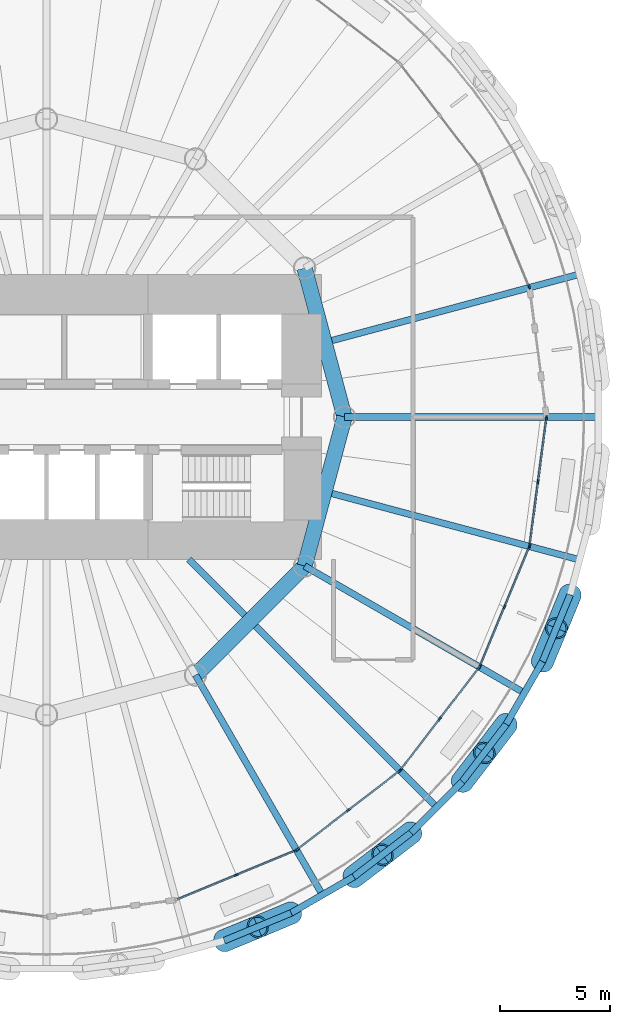
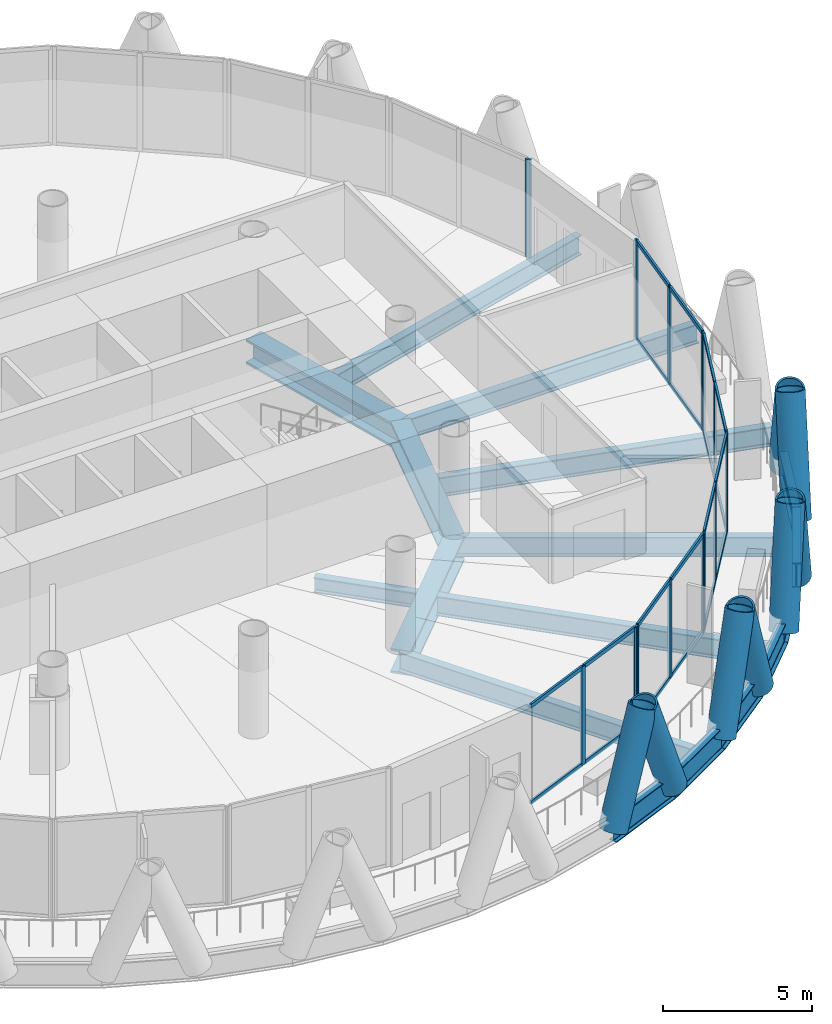
# One storey, part 4 of 15: 43 members, 17 beams, 6 elements without a shape of their own.
"""IFC4 building model written with IfcOpenShell, lengths in metres."""

from ifc_helpers import new_model, si_unit, direction, frame, origin, origin_2d, place, context, subcontext, project, spatial, rectangle, hollow_circle, i_section, extrude, material, material_profile, profile_set, type_object, element, aggregate, save


model = new_model("IFC4")

# Units and contexts
model_context = context("Model", 3, precision=1e-05, world=origin(), true_north=direction((0.0, 1.0)))
body_context = subcontext(model_context, "Body", "Model", "MODEL_VIEW")
ifc_project = project(units=[si_unit("LENGTHUNIT", "METRE"), si_unit("AREAUNIT", "SQUARE_METRE"), si_unit("VOLUMEUNIT", "CUBIC_METRE"), si_unit("PLANEANGLEUNIT", "RADIAN"), si_unit("MASSUNIT", "GRAM", prefix="KILO")], contexts=[model_context])

# Site, building, storey
site_placement = place(None, origin())
site = spatial("IfcSite", under=ifc_project, at=site_placement, CompositionType="ELEMENT")
building_placement = place(site_placement, origin())
building = spatial("IfcBuilding", under=site, at=building_placement, Name="Qaws Media Tower", CompositionType="ELEMENT")
storey_placement = place(building_placement, frame((0.0, 0.0, 131.0)))
storey = spatial("IfcBuildingStorey", under=building, at=storey_placement, Name="L29", CompositionType="ELEMENT", Elevation=131.0)

# Curtain wall, member
ifc_material_1 = material(Name="Aluminium and clear glass", Category="aluminium")
curtain_wall_type = type_object("IfcCurtainWallType", Name="Unitised curtain wall CW-B", PredefinedType="NOTDEFINED", material=ifc_material_1)
curtain_wall_1_placement = place(storey_placement, origin())
curtain_wall_1 = element("IfcCurtainWall", 1, at=curtain_wall_1_placement, inside=storey, type_object=curtain_wall_type, Name="CWB curtain wall L29-02", PredefinedType="NOTDEFINED")
ifc_material_2 = material(Name="Aluminium mullion", Category="aluminium")
ifc_material_profile_1 = material_profile(ifc_material_2, rectangle(XDim=0.080078125, YDim=0.199951171875, at=origin_2d()), Name="80x200")
ifc_profile_set_1 = profile_set([ifc_material_profile_1], Name="Aluminium mullion")
member_type_1 = type_object("IfcMemberType", Name="Curtain wall mullion 80x200", PredefinedType="MULLION", material=ifc_profile_set_1)
member_1_placement = place(storey_placement, frame((81.86279296875, 55.899169921875, 0.0), z_axis=(0.0, 0.0, 1.0), x_axis=(-0.923879515987, -0.382683472258, 0.0)))
member_1 = element("IfcMember", 2, at=member_1_placement, type_object=member_type_1, Name="CWB mullion 1", PredefinedType="MULLION", context=body_context, shape_type="SweptSolid", body=[
    extrude(rectangle(XDim=0.080078125, YDim=0.199951171875, at=origin_2d()), origin(), (0.0, 0.0, 1.0), 4.0400390625),
])
aggregate(curtain_wall_1, [member_1])

# Curtain wall, members
curtain_wall_2_placement = place(storey_placement, origin())
curtain_wall_2 = element("IfcCurtainWall", 3, at=curtain_wall_2_placement, inside=storey, type_object=curtain_wall_type, Name="CWB curtain wall L29-20", PredefinedType="NOTDEFINED")
member_2_placement = place(storey_placement, frame((68.593505859375, 29.253173828125, 0.0), z_axis=(0.0, 0.0, 1.0), x_axis=(-0.382683472258, 0.923879515987, 0.0)))
member_2 = element("IfcMember", 4, at=member_2_placement, type_object=member_type_1, Name="CWB mullion 2", PredefinedType="MULLION", context=body_context, shape_type="SweptSolid", body=[
    extrude(rectangle(XDim=0.080078125, YDim=0.199951171875, at=origin_2d()), origin(), (0.0, 0.0, 1.0), 4.0400390625),
])
member_3_placement = place(storey_placement, frame((71.2880859375, 30.369140625, 0.0), z_axis=(0.0, 0.0, 1.0), x_axis=(-0.382683472258, 0.923879515987, 0.0)))
member_3 = element("IfcMember", 5, at=member_3_placement, type_object=member_type_1, Name="CWB mullion 3", PredefinedType="MULLION", context=body_context, shape_type="SweptSolid", body=[
    extrude(rectangle(XDim=0.080078125, YDim=0.199951171875, at=origin_2d()), origin(), (0.0, 0.0, 1.0), 4.0400390625),
])

curtain_wall_3_placement = place(storey_placement, origin())
curtain_wall_3 = element("IfcCurtainWall", 6, at=curtain_wall_3_placement, inside=storey, type_object=curtain_wall_type, Name="CWB curtain wall L29-21", PredefinedType="NOTDEFINED")
member_4_placement = place(storey_placement, frame((71.356689453125, 30.408935546875, 0.0), z_axis=(0.0, 0.0, 1.0), x_axis=(-0.608761310482, 0.79335343124, 0.0)))
member_4 = element("IfcMember", 7, at=member_4_placement, type_object=member_type_1, Name="CWB mullion 1", PredefinedType="MULLION", context=body_context, shape_type="SweptSolid", body=[
    extrude(rectangle(XDim=0.080078125, YDim=0.199951171875, at=origin_2d()), origin(), (0.0, 0.0, 1.0), 4.0400390625),
])
member_5_placement = place(storey_placement, frame((73.67041015625, 32.184326171875, 0.0), z_axis=(0.0, 0.0, 1.0), x_axis=(-0.608761310482, 0.79335343124, 0.0)))
member_5 = element("IfcMember", 8, at=member_5_placement, type_object=member_type_1, Name="CWB mullion 2", PredefinedType="MULLION", context=body_context, shape_type="SweptSolid", body=[
    extrude(rectangle(XDim=0.080078125, YDim=0.199951171875, at=origin_2d()), origin(), (0.0, 0.0, 1.0), 4.0400390625),
])
member_6_placement = place(storey_placement, frame((75.984130859375, 33.959716796875, 0.0), z_axis=(0.0, 0.0, 1.0), x_axis=(-0.608761310482, 0.79335343124, 0.0)))
member_6 = element("IfcMember", 9, at=member_6_placement, type_object=member_type_1, Name="CWB mullion 3", PredefinedType="MULLION", context=body_context, shape_type="SweptSolid", body=[
    extrude(rectangle(XDim=0.080078125, YDim=0.199951171875, at=origin_2d()), origin(), (0.0, 0.0, 1.0), 4.0400390625),
])

curtain_wall_4_placement = place(storey_placement, origin())
curtain_wall_4 = element("IfcCurtainWall", 10, at=curtain_wall_4_placement, inside=storey, type_object=curtain_wall_type, Name="CWB curtain wall L29-22", PredefinedType="NOTDEFINED")
member_7_placement = place(storey_placement, frame((76.040283203125, 34.015869140625, 0.0), z_axis=(0.0, 0.0, 1.0), x_axis=(-0.79335343124, 0.608761310482, 0.0)))
member_7 = element("IfcMember", 11, at=member_7_placement, type_object=member_type_1, Name="CWB mullion 1", PredefinedType="MULLION", context=body_context, shape_type="SweptSolid", body=[
    extrude(rectangle(XDim=0.080078125, YDim=0.199951171875, at=origin_2d()), origin(), (0.0, 0.0, 1.0), 4.0400390625),
])
member_8_placement = place(storey_placement, frame((77.815673828125, 36.32958984375, 0.0), z_axis=(0.0, 0.0, 1.0), x_axis=(-0.79335343124, 0.608761310482, 0.0)))
member_8 = element("IfcMember", 12, at=member_8_placement, type_object=member_type_1, Name="CWB mullion 2", PredefinedType="MULLION", context=body_context, shape_type="SweptSolid", body=[
    extrude(rectangle(XDim=0.080078125, YDim=0.199951171875, at=origin_2d()), origin(), (0.0, 0.0, 1.0), 4.0400390625),
])
member_9_placement = place(storey_placement, frame((79.591064453125, 38.643310546875, 0.0), z_axis=(0.0, 0.0, 1.0), x_axis=(-0.79335343124, 0.608761310482, 0.0)))
member_9 = element("IfcMember", 13, at=member_9_placement, type_object=member_type_1, Name="CWB mullion 3", PredefinedType="MULLION", context=body_context, shape_type="SweptSolid", body=[
    extrude(rectangle(XDim=0.080078125, YDim=0.199951171875, at=origin_2d()), origin(), (0.0, 0.0, 1.0), 4.0400390625),
])

curtain_wall_5_placement = place(storey_placement, origin())
curtain_wall_5 = element("IfcCurtainWall", 14, at=curtain_wall_5_placement, inside=storey, type_object=curtain_wall_type, Name="CWB curtain wall L29-23", PredefinedType="NOTDEFINED")
member_10_placement = place(storey_placement, frame((79.630859375, 38.7119140625, 0.0), z_axis=(0.0, 0.0, 1.0), x_axis=(-0.923879515987, 0.382683472258, 0.0)))
member_10 = element("IfcMember", 15, at=member_10_placement, type_object=member_type_1, Name="CWB mullion 1", PredefinedType="MULLION", context=body_context, shape_type="SweptSolid", body=[
    extrude(rectangle(XDim=0.080078125, YDim=0.199951171875, at=origin_2d()), origin(), (0.0, 0.0, 1.0), 4.0400390625),
])
member_11_placement = place(storey_placement, frame((80.746826171875, 41.406494140625, 0.0), z_axis=(0.0, 0.0, 1.0), x_axis=(-0.923879515987, 0.382683472258, 0.0)))
member_11 = element("IfcMember", 16, at=member_11_placement, type_object=member_type_1, Name="CWB mullion 2", PredefinedType="MULLION", context=body_context, shape_type="SweptSolid", body=[
    extrude(rectangle(XDim=0.080078125, YDim=0.199951171875, at=origin_2d()), origin(), (0.0, 0.0, 1.0), 4.0400390625),
])
member_12_placement = place(storey_placement, frame((81.86279296875, 44.100830078125, 0.0), z_axis=(0.0, 0.0, 1.0), x_axis=(-0.923879515987, 0.382683472258, 0.0)))
member_12 = element("IfcMember", 17, at=member_12_placement, type_object=member_type_1, Name="CWB mullion 3", PredefinedType="MULLION", context=body_context, shape_type="SweptSolid", body=[
    extrude(rectangle(XDim=0.080078125, YDim=0.199951171875, at=origin_2d()), origin(), (0.0, 0.0, 1.0), 4.0400390625),
])

curtain_wall_6_placement = place(storey_placement, origin())
curtain_wall_6 = element("IfcCurtainWall", 18, at=curtain_wall_6_placement, inside=storey, type_object=curtain_wall_type, Name="CWB curtain wall L29-24", PredefinedType="NOTDEFINED")
member_13_placement = place(storey_placement, frame((81.883544921875, 44.177490234375, 0.0), z_axis=(0.0, 0.0, 1.0), x_axis=(-0.991444861059, 0.130526194608, 0.0)))
member_13 = element("IfcMember", 19, at=member_13_placement, type_object=member_type_1, Name="CWB mullion 1", PredefinedType="MULLION", context=body_context, shape_type="SweptSolid", body=[
    extrude(rectangle(XDim=0.080078125, YDim=0.199951171875, at=origin_2d()), origin(), (0.0, 0.0, 1.0), 4.0400390625),
])
member_14_placement = place(storey_placement, frame((82.26416015625, 47.06884765625, 0.0), z_axis=(0.0, 0.0, 1.0), x_axis=(-0.991444861059, 0.130526194608, 0.0)))
member_14 = element("IfcMember", 20, at=member_14_placement, type_object=member_type_1, Name="CWB mullion 2", PredefinedType="MULLION", context=body_context, shape_type="SweptSolid", body=[
    extrude(rectangle(XDim=0.080078125, YDim=0.199951171875, at=origin_2d()), origin(), (0.0, 0.0, 1.0), 4.0400390625),
])
member_15_placement = place(storey_placement, frame((82.644775390625, 49.96044921875, 0.0), z_axis=(0.0, 0.0, 1.0), x_axis=(-0.991444861059, 0.130526194608, 0.0)))
member_15 = element("IfcMember", 21, at=member_15_placement, type_object=member_type_1, Name="CWB mullion 3", PredefinedType="MULLION", context=body_context, shape_type="SweptSolid", body=[
    extrude(rectangle(XDim=0.080078125, YDim=0.199951171875, at=origin_2d()), origin(), (0.0, 0.0, 1.0), 4.0400390625),
])

# Member
ifc_material_3 = material(Name="Aluminium transom", Category="aluminium")
ifc_material_profile_2 = material_profile(ifc_material_3, rectangle(XDim=0.080078125, YDim=0.159912109375, at=origin_2d()), Name="80x160")
ifc_profile_set_2 = profile_set([ifc_material_profile_2], Name="Aluminium transom")
member_type_2 = type_object("IfcMemberType", Name="Curtain wall transom 80x160", PredefinedType="USERDEFINED", material=ifc_profile_set_2)
member_16_placement = place(storey_placement, frame((65.936279296875, 28.15234375, 0.0400390625), z_axis=(0.92387205082, 0.382701494265, 0.0), x_axis=(-0.382701494265, 0.92387205082, 0.0)))
member_16 = element("IfcMember", 22, at=member_16_placement, type_object=member_type_2, Name="CWB transom 1.1", ObjectType="TRANSOM", PredefinedType="USERDEFINED", context=body_context, shape_type="SweptSolid", body=[
    extrude(rectangle(XDim=0.080078125, YDim=0.159912109375, at=origin_2d()), origin(), (0.0, 0.0, 1.0), 2.836181640625),
])

member_17_placement = place(storey_placement, frame((65.936279296875, 28.15234375, 4.0), z_axis=(0.92387205082, 0.382701494265, 0.0), x_axis=(-0.382701494265, 0.92387205082, 0.0)))
member_17 = element("IfcMember", 23, at=member_17_placement, type_object=member_type_2, Name="CWB transom 1.2", ObjectType="TRANSOM", PredefinedType="USERDEFINED", context=body_context, shape_type="SweptSolid", body=[
    extrude(rectangle(XDim=0.080078125, YDim=0.159912109375, at=origin_2d()), origin(), (0.0, 0.0, 1.0), 2.836181640625),
])

member_18_placement = place(storey_placement, frame((68.630615234375, 29.2685546875, 0.0400390625), z_axis=(0.92387205082, 0.382701494265, 0.0), x_axis=(-0.382701494265, 0.92387205082, 0.0)))
member_18 = element("IfcMember", 24, at=member_18_placement, type_object=member_type_2, Name="CWB transom 2.1", ObjectType="TRANSOM", PredefinedType="USERDEFINED", context=body_context, shape_type="SweptSolid", body=[
    extrude(rectangle(XDim=0.080078125, YDim=0.159912109375, at=origin_2d()), origin(), (0.0, 0.0, 1.0), 2.836181640625),
])

member_19_placement = place(storey_placement, frame((68.630615234375, 29.2685546875, 4.0), z_axis=(0.92387205082, 0.382701494265, 0.0), x_axis=(-0.382701494265, 0.92387205082, 0.0)))
member_19 = element("IfcMember", 25, at=member_19_placement, type_object=member_type_2, Name="CWB transom 2.2", ObjectType="TRANSOM", PredefinedType="USERDEFINED", context=body_context, shape_type="SweptSolid", body=[
    extrude(rectangle(XDim=0.080078125, YDim=0.159912109375, at=origin_2d()), origin(), (0.0, 0.0, 1.0), 2.836181640625),
])

aggregate(curtain_wall_2, [member_2, member_3, member_16, member_17, member_18, member_19])

member_20_placement = place(storey_placement, frame((71.388427734375, 30.43310546875, 0.0400390625), z_axis=(0.793330594722, 0.608791070465, 0.0), x_axis=(-0.608791070465, 0.793330594722, 0.0)))
member_20 = element("IfcMember", 26, at=member_20_placement, type_object=member_type_2, Name="CWB transom 1.1", ObjectType="TRANSOM", PredefinedType="USERDEFINED", context=body_context, shape_type="SweptSolid", body=[
    extrude(rectangle(XDim=0.080078125, YDim=0.159912109375, at=origin_2d()), origin(), (0.0, 0.0, 1.0), 2.83642578125),
])

member_21_placement = place(storey_placement, frame((71.388427734375, 30.43310546875, 4.0), z_axis=(0.793330594722, 0.608791070465, 0.0), x_axis=(-0.608791070465, 0.793330594722, 0.0)))
member_21 = element("IfcMember", 27, at=member_21_placement, type_object=member_type_2, Name="CWB transom 1.2", ObjectType="TRANSOM", PredefinedType="USERDEFINED", context=body_context, shape_type="SweptSolid", body=[
    extrude(rectangle(XDim=0.080078125, YDim=0.159912109375, at=origin_2d()), origin(), (0.0, 0.0, 1.0), 2.83642578125),
])

member_22_placement = place(storey_placement, frame((73.7021484375, 32.208740234375, 0.0400390625), z_axis=(0.793372165728, 0.608736894437, 0.0), x_axis=(-0.608736894437, 0.793372165728, 0.0)))
member_22 = element("IfcMember", 28, at=member_22_placement, type_object=member_type_2, Name="CWB transom 2.1", ObjectType="TRANSOM", PredefinedType="USERDEFINED", context=body_context, shape_type="SweptSolid", body=[
    extrude(rectangle(XDim=0.080078125, YDim=0.159912109375, at=origin_2d()), origin(), (0.0, 0.0, 1.0), 2.836181640625),
])

member_23_placement = place(storey_placement, frame((73.7021484375, 32.208740234375, 4.0), z_axis=(0.793372165728, 0.608736894437, 0.0), x_axis=(-0.608736894437, 0.793372165728, 0.0)))
member_23 = element("IfcMember", 29, at=member_23_placement, type_object=member_type_2, Name="CWB transom 2.2", ObjectType="TRANSOM", PredefinedType="USERDEFINED", context=body_context, shape_type="SweptSolid", body=[
    extrude(rectangle(XDim=0.080078125, YDim=0.159912109375, at=origin_2d()), origin(), (0.0, 0.0, 1.0), 2.836181640625),
])

aggregate(curtain_wall_3, [member_4, member_5, member_6, member_20, member_21, member_22, member_23])

member_24_placement = place(storey_placement, frame((76.064697265625, 34.047607421875, 0.0400390625), z_axis=(0.608736894437, 0.793372165728, 0.0), x_axis=(-0.793372165728, 0.608736894437, 0.0)))
member_24 = element("IfcMember", 30, at=member_24_placement, type_object=member_type_2, Name="CWB transom 1.1", ObjectType="TRANSOM", PredefinedType="USERDEFINED", context=body_context, shape_type="SweptSolid", body=[
    extrude(rectangle(XDim=0.080078125, YDim=0.159912109375, at=origin_2d()), origin(), (0.0, 0.0, 1.0), 2.836181640625),
])

member_25_placement = place(storey_placement, frame((76.064697265625, 34.047607421875, 4.0), z_axis=(0.608736894437, 0.793372165728, 0.0), x_axis=(-0.793372165728, 0.608736894437, 0.0)))
member_25 = element("IfcMember", 31, at=member_25_placement, type_object=member_type_2, Name="CWB transom 1.2", ObjectType="TRANSOM", PredefinedType="USERDEFINED", context=body_context, shape_type="SweptSolid", body=[
    extrude(rectangle(XDim=0.080078125, YDim=0.159912109375, at=origin_2d()), origin(), (0.0, 0.0, 1.0), 2.836181640625),
])

member_26_placement = place(storey_placement, frame((77.840087890625, 36.361328125, 0.0400390625), z_axis=(0.608791070465, 0.793330594722, 0.0), x_axis=(-0.793330594722, 0.608791070465, 0.0)))
member_26 = element("IfcMember", 32, at=member_26_placement, type_object=member_type_2, Name="CWB transom 2.1", ObjectType="TRANSOM", PredefinedType="USERDEFINED", context=body_context, shape_type="SweptSolid", body=[
    extrude(rectangle(XDim=0.080078125, YDim=0.159912109375, at=origin_2d()), origin(), (0.0, 0.0, 1.0), 2.83642578125),
])

member_27_placement = place(storey_placement, frame((77.840087890625, 36.361328125, 4.0), z_axis=(0.608791070465, 0.793330594722, 0.0), x_axis=(-0.793330594722, 0.608791070465, 0.0)))
member_27 = element("IfcMember", 33, at=member_27_placement, type_object=member_type_2, Name="CWB transom 2.2", ObjectType="TRANSOM", PredefinedType="USERDEFINED", context=body_context, shape_type="SweptSolid", body=[
    extrude(rectangle(XDim=0.080078125, YDim=0.159912109375, at=origin_2d()), origin(), (0.0, 0.0, 1.0), 2.83642578125),
])

aggregate(curtain_wall_4, [member_7, member_8, member_9, member_24, member_25, member_26, member_27])

member_28_placement = place(storey_placement, frame((79.64599609375, 38.7490234375, 0.0400390625), z_axis=(0.382701494265, 0.92387205082, 0.0), x_axis=(-0.92387205082, 0.382701494265, 0.0)))
member_28 = element("IfcMember", 34, at=member_28_placement, type_object=member_type_2, Name="CWB transom 1.1", ObjectType="TRANSOM", PredefinedType="USERDEFINED", context=body_context, shape_type="SweptSolid", body=[
    extrude(rectangle(XDim=0.080078125, YDim=0.159912109375, at=origin_2d()), origin(), (0.0, 0.0, 1.0), 2.836181640625),
])

member_29_placement = place(storey_placement, frame((79.64599609375, 38.7490234375, 4.0), z_axis=(0.382701494265, 0.92387205082, 0.0), x_axis=(-0.92387205082, 0.382701494265, 0.0)))
member_29 = element("IfcMember", 35, at=member_29_placement, type_object=member_type_2, Name="CWB transom 1.2", ObjectType="TRANSOM", PredefinedType="USERDEFINED", context=body_context, shape_type="SweptSolid", body=[
    extrude(rectangle(XDim=0.080078125, YDim=0.159912109375, at=origin_2d()), origin(), (0.0, 0.0, 1.0), 2.836181640625),
])

member_30_placement = place(storey_placement, frame((80.76220703125, 41.443359375, 0.0400390625), z_axis=(0.382701494265, 0.92387205082, 0.0), x_axis=(-0.92387205082, 0.382701494265, 0.0)))
member_30 = element("IfcMember", 36, at=member_30_placement, type_object=member_type_2, Name="CWB transom 2.1", ObjectType="TRANSOM", PredefinedType="USERDEFINED", context=body_context, shape_type="SweptSolid", body=[
    extrude(rectangle(XDim=0.080078125, YDim=0.159912109375, at=origin_2d()), origin(), (0.0, 0.0, 1.0), 2.836181640625),
])

member_31_placement = place(storey_placement, frame((80.76220703125, 41.443359375, 4.0), z_axis=(0.382701494265, 0.92387205082, 0.0), x_axis=(-0.92387205082, 0.382701494265, 0.0)))
member_31 = element("IfcMember", 37, at=member_31_placement, type_object=member_type_2, Name="CWB transom 2.2", ObjectType="TRANSOM", PredefinedType="USERDEFINED", context=body_context, shape_type="SweptSolid", body=[
    extrude(rectangle(XDim=0.080078125, YDim=0.159912109375, at=origin_2d()), origin(), (0.0, 0.0, 1.0), 2.836181640625),
])

aggregate(curtain_wall_5, [member_10, member_11, member_12, member_28, member_29, member_30, member_31])

member_32_placement = place(storey_placement, frame((81.888671875, 44.217041015625, 0.0400390625), z_axis=(0.130483456706, 0.991450486674, 0.0), x_axis=(-0.991450486674, 0.130483456706, 0.0)))
member_32 = element("IfcMember", 38, at=member_32_placement, type_object=member_type_2, Name="CWB transom 1.1", ObjectType="TRANSOM", PredefinedType="USERDEFINED", context=body_context, shape_type="SweptSolid", body=[
    extrude(rectangle(XDim=0.080078125, YDim=0.159912109375, at=origin_2d()), origin(), (0.0, 0.0, 1.0), 2.83642578125),
])

member_33_placement = place(storey_placement, frame((81.888671875, 44.217041015625, 4.0), z_axis=(0.130483456706, 0.991450486674, 0.0), x_axis=(-0.991450486674, 0.130483456706, 0.0)))
member_33 = element("IfcMember", 39, at=member_33_placement, type_object=member_type_2, Name="CWB transom 1.2", ObjectType="TRANSOM", PredefinedType="USERDEFINED", context=body_context, shape_type="SweptSolid", body=[
    extrude(rectangle(XDim=0.080078125, YDim=0.159912109375, at=origin_2d()), origin(), (0.0, 0.0, 1.0), 2.83642578125),
])

member_34_placement = place(storey_placement, frame((82.269287109375, 47.108642578125, 0.0400390625), z_axis=(0.130579203445, 0.991437880872, 0.0), x_axis=(-0.991437880872, 0.130579203445, 0.0)))
member_34 = element("IfcMember", 40, at=member_34_placement, type_object=member_type_2, Name="CWB transom 2.1", ObjectType="TRANSOM", PredefinedType="USERDEFINED", context=body_context, shape_type="SweptSolid", body=[
    extrude(rectangle(XDim=0.080078125, YDim=0.159912109375, at=origin_2d()), origin(), (0.0, 0.0, 1.0), 2.836181640625),
])

member_35_placement = place(storey_placement, frame((82.269287109375, 47.108642578125, 4.0), z_axis=(0.130579203445, 0.991437880872, 0.0), x_axis=(-0.991437880872, 0.130579203445, 0.0)))
member_35 = element("IfcMember", 41, at=member_35_placement, type_object=member_type_2, Name="CWB transom 2.2", ObjectType="TRANSOM", PredefinedType="USERDEFINED", context=body_context, shape_type="SweptSolid", body=[
    extrude(rectangle(XDim=0.080078125, YDim=0.159912109375, at=origin_2d()), origin(), (0.0, 0.0, 1.0), 2.836181640625),
])

aggregate(curtain_wall_6, [member_13, member_14, member_15, member_32, member_33, member_34, member_35])

# Members
ifc_material_4 = material(Name="Steel S460", Category="steel")
ifc_material_profile_3 = material_profile(ifc_material_4, hollow_circle(Radius=0.508056640625, WallThickness=0.070068359375, at=origin_2d()), Name="CHS 1016x70")
ifc_profile_set_3 = profile_set([ifc_material_profile_3], Name="Steel S460")
member_type_3 = type_object("IfcMemberType", Name="Diagrid member CHS 1016x70", PredefinedType="USERDEFINED", material=ifc_profile_set_3)
for number, where, z_axis, x_axis, name in (
    (42, (68.052001953125, 26.279296875, -0.6640625), (0.336080803796, 0.13836391455, 0.931614255188), (-0.380697345738, 0.924699697711, 0.0), "DG3 diagrid L29 A20"),
    (43, (73.9169921875, 29.171630859375, -0.6640625), (0.288805944508, 0.220625429951, 0.931619850624), (-0.607057342765, 0.794658028711, 0.0), "DG3 diagrid L29 A21"),
    (44, (71.079345703125, 27.533447265625, -0.6640625), (-0.335435922045, -0.139828148324, 0.931628054074), (0.38476351553, -0.923015187913, 0.0), "DG3 diagrid L29 B21"),
    (45, (78.83349609375, 33.4833984375, -0.6640625), (0.221872197293, 0.28783273825, 0.93162494753), (-0.792008696102, 0.610509807701, 0.0), "DG3 diagrid L29 A22"),
    (46, (76.5166015625, 31.16650390625, -0.6640625), (-0.28783273825, -0.221872197293, 0.93162494753), (0.610509807701, -0.792008696102, 0.0), "DG3 diagrid L29 B22"),
    (47, (82.466552734375, 38.920654296875, -0.6640625), (0.139828148324, 0.335435922045, 0.931628054074), (-0.923015187913, 0.38476351553, 0.0), "DG3 diagrid L29 A23"),
    (48, (80.828369140625, 36.0830078125, -0.6640625), (-0.220625429951, -0.288805944508, 0.931619850624), (0.794658028711, -0.607057342765, 0.0), "DG3 diagrid L29 B23"),
    (49, (83.720703125, 41.947998046875, -0.6640625), (-0.13836391455, -0.336080803796, 0.931614255188), (0.924699697711, -0.380697345738, 0.0), "DG3 diagrid L29 B24"),
):
    element("IfcMember", number, at=place(storey_placement, frame(where, z_axis=z_axis, x_axis=x_axis)), inside=storey, type_object=member_type_3, Name=name, ObjectType="DIAGRID", PredefinedType="USERDEFINED", context=body_context, shape_type="SweptSolid", body=[
        extrude(hollow_circle(Radius=0.508056640625, WallThickness=0.070068359375, at=origin_2d()), origin(), (0.0, 0.0, 1.0), 4.50830078125),
    ])

# Beams
ifc_material_5 = material(Name="Steel S460", Category="steel")
ifc_material_profile_4 = material_profile(ifc_material_5, i_section(OverallWidth=0.302001953125, OverallDepth=1.008056640625, WebThickness=0.02099609375, FlangeThickness=0.0400390625, FilletRadius=0.030029296875, at=origin_2d()), Name="HE 1000 M")
ifc_profile_set_4 = profile_set([ifc_material_profile_4], Name="Steel S460")
beam_type_1 = type_object("IfcBeamType", Name="Edge ring beam HE 1000 M", PredefinedType="BEAM", material=ifc_profile_set_4)
beam_1_placement = place(storey_placement, frame((68.052001953125, 26.279296875, -0.6640625), z_axis=(0.923859727087, 0.382731243391, 0.0), x_axis=(-0.382731243391, 0.923859727087, 0.0)))
element("IfcBeam", 50, at=beam_1_placement, inside=storey, type_object=beam_type_1, Name="RB3 edge ring beam L29-39", PredefinedType="BEAM", context=body_context, shape_type="SweptSolid", body=[
    extrude(i_section(OverallWidth=0.302001953125, OverallDepth=1.008056640625, WebThickness=0.02099609375, FlangeThickness=0.0400390625, FilletRadius=0.030029296875, at=origin_2d()), origin(), (0.0, 0.0, 1.0), 3.27685546875),
])
beam_2_placement = place(storey_placement, frame((71.079345703125, 27.533447265625, -0.6640625), z_axis=(0.866042896256, 0.499969700927, 0.0), x_axis=(-0.499969700927, 0.866042896256, 0.0)))
element("IfcBeam", 51, at=beam_2_placement, inside=storey, type_object=beam_type_1, Name="RB3 edge ring beam L29-40", PredefinedType="BEAM", context=body_context, shape_type="SweptSolid", body=[
    extrude(i_section(OverallWidth=0.302001953125, OverallDepth=1.008056640625, WebThickness=0.02099609375, FlangeThickness=0.0400390625, FilletRadius=0.030029296875, at=origin_2d()), origin(), (0.0, 0.0, 1.0), 3.276611328125),
])
beam_3_placement = place(storey_placement, frame((73.9169921875, 29.171630859375, -0.6640625), z_axis=(0.793335267914, 0.608784980665, 0.0), x_axis=(-0.608784980665, 0.793335267914, 0.0)))
element("IfcBeam", 52, at=beam_3_placement, inside=storey, type_object=beam_type_1, Name="RB3 edge ring beam L29-41", PredefinedType="BEAM", context=body_context, shape_type="SweptSolid", body=[
    extrude(i_section(OverallWidth=0.302001953125, OverallDepth=1.008056640625, WebThickness=0.02099609375, FlangeThickness=0.0400390625, FilletRadius=0.030029296875, at=origin_2d()), origin(), (0.0, 0.0, 1.0), 3.27685546875),
])
beam_4_placement = place(storey_placement, frame((76.5166015625, 31.16650390625, -0.6640625), z_axis=(0.707106781187, 0.707106781187, 0.0), x_axis=(-0.707106781187, 0.707106781187, 0.0)))
element("IfcBeam", 53, at=beam_4_placement, inside=storey, type_object=beam_type_1, Name="RB3 edge ring beam L29-42", PredefinedType="BEAM", context=body_context, shape_type="SweptSolid", body=[
    extrude(i_section(OverallWidth=0.302001953125, OverallDepth=1.008056640625, WebThickness=0.02099609375, FlangeThickness=0.0400390625, FilletRadius=0.030029296875, at=origin_2d()), origin(), (0.0, 0.0, 1.0), 3.276611328125),
])
beam_5_placement = place(storey_placement, frame((78.83349609375, 33.4833984375, -0.6640625), z_axis=(0.608784980665, 0.793335267914, 0.0), x_axis=(-0.793335267914, 0.608784980665, 0.0)))
element("IfcBeam", 54, at=beam_5_placement, inside=storey, type_object=beam_type_1, Name="RB3 edge ring beam L29-43", PredefinedType="BEAM", context=body_context, shape_type="SweptSolid", body=[
    extrude(i_section(OverallWidth=0.302001953125, OverallDepth=1.008056640625, WebThickness=0.02099609375, FlangeThickness=0.0400390625, FilletRadius=0.030029296875, at=origin_2d()), origin(), (0.0, 0.0, 1.0), 3.27685546875),
])
beam_6_placement = place(storey_placement, frame((80.828369140625, 36.0830078125, -0.6640625), z_axis=(0.499969700927, 0.866042896256, 0.0), x_axis=(-0.866042896256, 0.499969700927, 0.0)))
element("IfcBeam", 55, at=beam_6_placement, inside=storey, type_object=beam_type_1, Name="RB3 edge ring beam L29-44", PredefinedType="BEAM", context=body_context, shape_type="SweptSolid", body=[
    extrude(i_section(OverallWidth=0.302001953125, OverallDepth=1.008056640625, WebThickness=0.02099609375, FlangeThickness=0.0400390625, FilletRadius=0.030029296875, at=origin_2d()), origin(), (0.0, 0.0, 1.0), 3.276611328125),
])
beam_7_placement = place(storey_placement, frame((82.466552734375, 38.920654296875, -0.6640625), z_axis=(0.382731243391, 0.923859727087, 0.0), x_axis=(-0.923859727087, 0.382731243391, 0.0)))
element("IfcBeam", 56, at=beam_7_placement, inside=storey, type_object=beam_type_1, Name="RB3 edge ring beam L29-45", PredefinedType="BEAM", context=body_context, shape_type="SweptSolid", body=[
    extrude(i_section(OverallWidth=0.302001953125, OverallDepth=1.008056640625, WebThickness=0.02099609375, FlangeThickness=0.0400390625, FilletRadius=0.030029296875, at=origin_2d()), origin(), (0.0, 0.0, 1.0), 3.27685546875),
])
ifc_material_6 = material(Name="Steel S460", Category="steel")
ifc_material_profile_5 = material_profile(ifc_material_6, i_section(OverallWidth=0.699951171875, OverallDepth=1.0, WebThickness=0.034912109375, FlangeThickness=0.090087890625, at=origin_2d()), Name="PG 1000x700")
ifc_profile_set_5 = profile_set([ifc_material_profile_5], Name="Steel S460")
beam_type_2 = type_object("IfcBeamType", Name="Inner ring girder PG 1000x700", PredefinedType="BEAM", material=ifc_profile_set_5)
beam_8_placement = place(storey_placement, frame((73.5, 50.0, -0.659912109375), z_axis=(-0.258810593767, 0.965928090778, 0.0), x_axis=(-0.965928090778, -0.258810593767, 0.0)))
element("IfcBeam", 57, at=beam_8_placement, inside=storey, type_object=beam_type_2, Name="B3 inner ring beam L29 I01-I02", PredefinedType="BEAM", context=body_context, shape_type="SweptSolid", body=[
    extrude(i_section(OverallWidth=0.699951171875, OverallDepth=1.0, WebThickness=0.034912109375, FlangeThickness=0.090087890625, at=origin_2d()), origin(), (0.0, 0.0, 1.0), 6.988037109375),
])
beam_9_placement = place(storey_placement, frame((66.75, 38.30859375, -0.659912109375), z_axis=(0.707106781187, 0.707106781187, 0.0), x_axis=(-0.707106781187, 0.707106781187, 0.0)))
element("IfcBeam", 58, at=beam_9_placement, inside=storey, type_object=beam_type_2, Name="B3 inner ring beam L29 I11-I12", PredefinedType="BEAM", context=body_context, shape_type="SweptSolid", body=[
    extrude(i_section(OverallWidth=0.699951171875, OverallDepth=1.0, WebThickness=0.034912109375, FlangeThickness=0.090087890625, at=origin_2d()), origin(), (0.0, 0.0, 1.0), 6.98828125),
])
beam_10_placement = place(storey_placement, frame((71.69140625, 43.25, -0.659912109375), z_axis=(0.258810593767, 0.965928090778, 0.0), x_axis=(-0.965928090778, 0.258810593767, 0.0)))
element("IfcBeam", 59, at=beam_10_placement, inside=storey, type_object=beam_type_2, Name="B3 inner ring beam L29 I12-I01", PredefinedType="BEAM", context=body_context, shape_type="SweptSolid", body=[
    extrude(i_section(OverallWidth=0.699951171875, OverallDepth=1.0, WebThickness=0.034912109375, FlangeThickness=0.090087890625, at=origin_2d()), origin(), (0.0, 0.0, 1.0), 6.988037109375),
])
ifc_material_7 = material(Name="Steel S355", Category="steel")
ifc_material_profile_6 = material_profile(ifc_material_7, i_section(OverallWidth=0.304931640625, OverallDepth=0.6201171875, WebThickness=0.02099609375, FlangeThickness=0.0400390625, FilletRadius=0.027099609375, at=origin_2d()), Name="HE 600 M")
ifc_profile_set_6 = profile_set([ifc_material_profile_6], Name="Steel S355")
beam_type_3 = type_object("IfcBeamType", Name="Radial beam HE 600 M, core side", PredefinedType="BEAM", material=ifc_profile_set_6)
beam_11_placement = place(storey_placement, frame((66.449951171875, 43.550048828125, -0.469970703125), z_axis=(0.707106781187, -0.707106781187, 0.0), x_axis=(0.707106781187, 0.707106781187, 0.0)))
element("IfcBeam", 60, at=beam_11_placement, inside=storey, type_object=beam_type_3, Name="B2 radial beam L29 22", PredefinedType="BEAM", context=body_context, shape_type="SweptSolid", body=[
    extrude(i_section(OverallWidth=0.304931640625, OverallDepth=0.6201171875, WebThickness=0.02099609375, FlangeThickness=0.0400390625, FilletRadius=0.027099609375, at=origin_2d()), origin(), (0.0, 0.0, 1.0), 3.568359375),
])
ifc_material_8 = material(Name="Steel S355", Category="steel")
ifc_material_profile_7 = material_profile(ifc_material_8, i_section(OverallWidth=0.300048828125, OverallDepth=0.800048828125, WebThickness=0.017578125, FlangeThickness=0.032958984375, FilletRadius=0.030029296875, at=origin_2d()), Name="HE 800 B")
ifc_profile_set_7 = profile_set([ifc_material_profile_7], Name="Steel S355")
beam_type_4 = type_object("IfcBeamType", Name="Radial beam HE 800 B", PredefinedType="BEAM", material=ifc_profile_set_7)
beam_12_placement = place(storey_placement, frame((73.5, 50.0, -0.56005859375), z_axis=(1.0, 0.0, 0.0), x_axis=(0.0, 1.0, 0.0)))
element("IfcBeam", 61, at=beam_12_placement, inside=storey, type_object=beam_type_4, Name="B1 radial beam L29 01", PredefinedType="BEAM", context=body_context, shape_type="SweptSolid", body=[
    extrude(i_section(OverallWidth=0.300048828125, OverallDepth=0.800048828125, WebThickness=0.017578125, FlangeThickness=0.032958984375, FilletRadius=0.030029296875, at=origin_2d()), origin(), (0.0, 0.0, 1.0), 11.496337890625),
])
beam_13_placement = place(storey_placement, frame((72.933837890625, 53.465576171875, -0.56005859375), z_axis=(0.965925610503, 0.258819850424, 0.0), x_axis=(-0.258819850424, 0.965925610503, 0.0)))
element("IfcBeam", 62, at=beam_13_placement, inside=storey, type_object=beam_type_4, Name="B1 radial beam L29 02", PredefinedType="BEAM", context=body_context, shape_type="SweptSolid", body=[
    extrude(i_section(OverallWidth=0.300048828125, OverallDepth=0.800048828125, WebThickness=0.017578125, FlangeThickness=0.032958984375, FilletRadius=0.030029296875, at=origin_2d()), origin(), (0.0, 0.0, 1.0), 11.606201171875),
])
beam_14_placement = place(storey_placement, frame((66.75, 38.30859375, -0.56005859375), z_axis=(0.500010448618, -0.866019371188, 0.0), x_axis=(0.866019371188, 0.500010448618, 0.0)))
element("IfcBeam", 63, at=beam_14_placement, inside=storey, type_object=beam_type_4, Name="B1 radial beam L29 21", PredefinedType="BEAM", context=body_context, shape_type="SweptSolid", body=[
    extrude(i_section(OverallWidth=0.300048828125, OverallDepth=0.800048828125, WebThickness=0.017578125, FlangeThickness=0.032958984375, FilletRadius=0.030029296875, at=origin_2d()), origin(), (0.0, 0.0, 1.0), 11.496337890625),
])
beam_15_placement = place(storey_placement, frame((69.46826171875, 40.53173828125, -0.56005859375), z_axis=(0.707106781187, -0.707106781187, 0.0), x_axis=(0.707106781187, 0.707106781187, 0.0)))
element("IfcBeam", 64, at=beam_15_placement, inside=storey, type_object=beam_type_4, Name="B1 radial beam L29 22", PredefinedType="BEAM", context=body_context, shape_type="SweptSolid", body=[
    extrude(i_section(OverallWidth=0.300048828125, OverallDepth=0.800048828125, WebThickness=0.017578125, FlangeThickness=0.032958984375, FilletRadius=0.030029296875, at=origin_2d()), origin(), (0.0, 0.0, 1.0), 11.606201171875),
])
beam_16_placement = place(storey_placement, frame((71.69140625, 43.25, -0.56005859375), z_axis=(0.866019371188, -0.500010448618, 0.0), x_axis=(0.500010448618, 0.866019371188, 0.0)))
element("IfcBeam", 65, at=beam_16_placement, inside=storey, type_object=beam_type_4, Name="B1 radial beam L29 23", PredefinedType="BEAM", context=body_context, shape_type="SweptSolid", body=[
    extrude(i_section(OverallWidth=0.300048828125, OverallDepth=0.800048828125, WebThickness=0.017578125, FlangeThickness=0.032958984375, FilletRadius=0.030029296875, at=origin_2d()), origin(), (0.0, 0.0, 1.0), 11.496337890625),
])
beam_17_placement = place(storey_placement, frame((72.933837890625, 46.534423828125, -0.56005859375), z_axis=(0.965925610503, -0.258819850424, 0.0), x_axis=(0.258819850424, 0.965925610503, 0.0)))
element("IfcBeam", 66, at=beam_17_placement, inside=storey, type_object=beam_type_4, Name="B1 radial beam L29 24", PredefinedType="BEAM", context=body_context, shape_type="SweptSolid", body=[
    extrude(i_section(OverallWidth=0.300048828125, OverallDepth=0.800048828125, WebThickness=0.017578125, FlangeThickness=0.032958984375, FilletRadius=0.030029296875, at=origin_2d()), origin(), (0.0, 0.0, 1.0), 11.606201171875),
])

save(model, "model.ifc")
